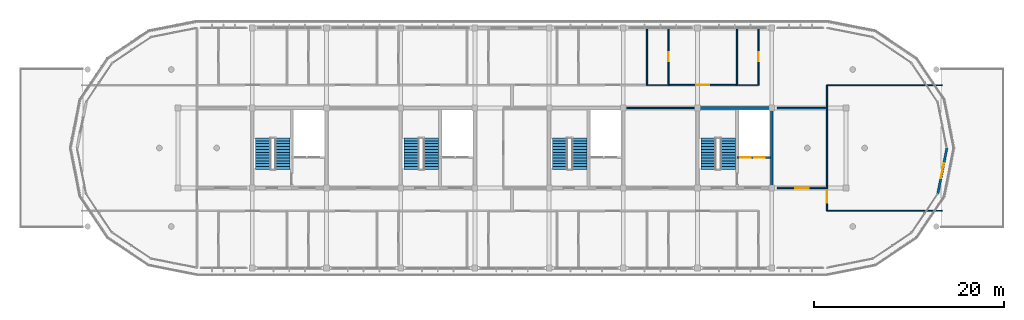
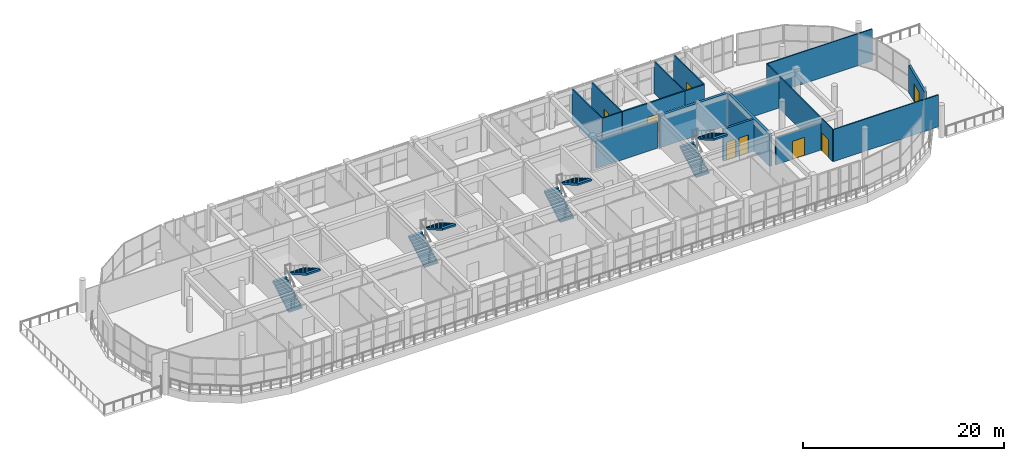
# One storey, part 45 of 50: 17 walls, 8 doors, 8 stair flights, 8 openings, 4 elements without a shape of their own.
"""IFC4 building model written with IfcOpenShell, lengths in metres."""

from ifc_helpers import new_model, si_unit, direction, frame, frame_2d, origin, place, context, subcontext, project, spatial, polyline, rectangle, outline, extrude, material, layer, layer_set, type_object, element, fill, aggregate, save


model = new_model("IFC4")

# Units and contexts
model_context = context("Model", 3, precision=1e-05, world=origin(), true_north=direction((0.0, 1.0)))
body_context = subcontext(model_context, "Body", "Model", "MODEL_VIEW")
ifc_project = project(units=[si_unit("LENGTHUNIT", "METRE"), si_unit("AREAUNIT", "SQUARE_METRE"), si_unit("VOLUMEUNIT", "CUBIC_METRE"), si_unit("PLANEANGLEUNIT", "RADIAN"), si_unit("MASSUNIT", "GRAM", prefix="KILO")], contexts=[model_context])

# Site, building, storey
site_placement = place(None, origin())
site = spatial("IfcSite", under=ifc_project, at=site_placement, CompositionType="ELEMENT")
building_placement = place(site_placement, origin())
building = spatial("IfcBuilding", under=site, at=building_placement, Name="Zizhar Promenade General Hospital", CompositionType="ELEMENT")
storey_placement = place(building_placement, frame((0.0, 0.0, 30.60009765625)))
storey = spatial("IfcBuildingStorey", under=building, at=storey_placement, Name="L07", CompositionType="ELEMENT", Elevation=30.60009765625)

# Wall, opening, door
ifc_material_1 = material(Name="Precast concrete C40/50", Category="concrete")
ifc_layer_1 = layer(ifc_material_1, 0.2451171875)
ifc_layer_set_1 = layer_set([ifc_layer_1], Name="Precast concrete C40/50")
wall_type_1 = type_object("IfcWallType", Name="EW-PC-245", PredefinedType="STANDARD", material=ifc_layer_set_1)
wall_1_placement = place(storey_placement, frame((119.800048828125, 12.60009765625, 0.0), z_axis=(0.0, 0.0, 1.0), x_axis=(-0.195113286981, -0.980780712108, 0.0)))
wall_1 = element("IfcWall", 1, at=wall_1_placement, inside=storey, type_object=wall_type_1, Name="Ward East Terrace Portal Wall L07", PredefinedType="STANDARD", context=body_context, shape_type="SweptSolid", body=[
    extrude(rectangle(XDim=4.916259765625, YDim=0.2451171875, at=frame_2d((2.4580078125, 0.0))), origin(), (0.0, 0.0, 1.0), 3.31982421875),
])
opening_1_placement = place(wall_1_placement, frame((1.658203125, 0.0, 0.0)))
opening_1 = element("IfcOpeningElement", 2, at=opening_1_placement, cuts=wall_1, Name="Opening ED-05", PredefinedType="OPENING", context=body_context, shape_type="SweptSolid", body=[
    extrude(rectangle(XDim=1.60009765625, YDim=2.199951171875, at=frame_2d((0.800048828125, 1.10009765625))), frame((0.0, 0.132568359375, 0.0), z_axis=(0.0, -1.0, 0.0), x_axis=(1.0, 0.0, 0.0)), (0.0, 0.0, 1.0), 0.26513671875),
])
ifc_material_2 = material(Name="Anodised aluminium 6063-T6 and laminated safety glass", Category="aluminium")
door_type_1 = type_object("IfcDoorType", Name="DR-EXT-TERR-160x220", OperationType="DOUBLE_DOOR_SINGLE_SWING", PredefinedType="DOOR", material=ifc_material_2)
door_1_placement = place(opening_1_placement, origin())
door_1 = element("IfcDoor", 3, at=door_1_placement, inside=storey, type_object=door_type_1, Name="Level L07 East Recovery Terrace Door", OperationType="DOUBLE_DOOR_SINGLE_SWING", OverallHeight=2.199951171875, OverallWidth=1.60009765625, PredefinedType="DOOR", context=body_context, shape_type="SweptSolid", body=[
    extrude(rectangle(XDim=1.60009765625, YDim=2.199951171875, at=frame_2d((0.800048828125, 1.10009765625))), frame((0.0, 0.02490234375, 0.0), z_axis=(0.0, -1.0, 0.0), x_axis=(1.0, 0.0, 0.0)), (0.0, 0.0, 1.0), 0.050048828125),
])
fill(opening_1, door_1)

# Wall
ifc_material_3 = material(Name="Clinical consultation partition")
ifc_layer_2 = layer(ifc_material_3, 0.14501953125)
ifc_layer_set_2 = layer_set([ifc_layer_2], Name="Clinical consultation partition")
wall_type_2 = type_object("IfcWallType", Name="IW-CLN-145", PredefinedType="PARTITIONING", material=ifc_layer_set_2)
wall_2_placement = place(storey_placement, frame((86.159912109375, 16.800048828125, 0.0), z_axis=(0.0, 0.0, 1.0), x_axis=(1.0, 0.0, 0.0)))
element("IfcWall", 4, at=wall_2_placement, inside=storey, type_object=wall_type_2, Name="Accessible Visitor Lounge and Clean Utility L07 N Partition", PredefinedType="PARTITIONING", context=body_context, shape_type="SweptSolid", body=[
    extrude(rectangle(XDim=7.080078125, YDim=0.14501953125, at=frame_2d((3.5400390625, 0.0))), origin(), (0.0, 0.0, 1.0), 3.304931640625),
])

# Wall, openings, doors
ifc_material_4 = material(Name="Concrete C35/45", Category="concrete")
ifc_layer_3 = layer(ifc_material_4, 0.25)
ifc_layer_set_3 = layer_set([ifc_layer_3], Name="Concrete C35/45")
wall_type_3 = type_object("IfcWallType", Name="IW-SHAFT-250", PredefinedType="STANDARD", material=ifc_layer_set_3)
wall_3_placement = place(storey_placement, frame((97.75, 11.60009765625, 0.0), z_axis=(0.0, 0.0, 1.0), x_axis=(1.0, 0.0, 0.0)))
wall_3 = element("IfcWall", 5, at=wall_3_placement, inside=storey, type_object=wall_type_3, Name="Core C5 Lift Shaft Landing Wall (L07)", PredefinedType="STANDARD", context=body_context, shape_type="SweptSolid", body=[
    extrude(rectangle(XDim=3.5, YDim=0.25, at=frame_2d((1.75, 0.0))), origin(), (0.0, 0.0, 1.0), 3.89990234375),
])
opening_2_placement = place(wall_3_placement, frame((0.35009765625, 0.0, 0.0)))
opening_2 = element("IfcOpeningElement", 6, at=opening_2_placement, cuts=wall_3, Name="Opening LD-11", PredefinedType="OPENING", context=body_context, shape_type="SweptSolid", body=[
    extrude(rectangle(XDim=1.10009765625, YDim=2.199951171875, at=frame_2d((0.550048828125, 1.10009765625))), frame((0.0, 0.135009765625, 0.0), z_axis=(0.0, -1.0, 0.0), x_axis=(1.0, 0.0, 0.0)), (0.0, 0.0, 1.0), 0.27001953125),
])
opening_3_placement = place(wall_3_placement, frame((1.800048828125, 0.0, 0.0)))
opening_3 = element("IfcOpeningElement", 7, at=opening_3_placement, cuts=wall_3, Name="Opening LD-11", PredefinedType="OPENING", context=body_context, shape_type="SweptSolid", body=[
    extrude(rectangle(XDim=1.10009765625, YDim=2.199951171875, at=frame_2d((0.550048828125, 1.10009765625))), frame((0.0, 0.135009765625, 0.0), z_axis=(0.0, -1.0, 0.0), x_axis=(1.0, 0.0, 0.0)), (0.0, 0.0, 1.0), 0.27001953125),
])
ifc_material_5 = material(Name="Stainless Steel S355 passenger lift landing door", Category="steel")
door_type_2 = type_object("IfcDoorType", Name="DR-LIFT-LD11", OperationType="SLIDING_TO_LEFT", PredefinedType="DOOR", material=ifc_material_5)
door_2_placement = place(opening_2_placement, origin())
door_2 = element("IfcDoor", 8, at=door_2_placement, inside=storey, type_object=door_type_2, Name="Lift LF-02 Sliding Landing Door (L07)", OperationType="SLIDING_TO_LEFT", OverallHeight=2.199951171875, OverallWidth=1.10009765625, PredefinedType="DOOR", context=body_context, shape_type="SweptSolid", body=[
    extrude(rectangle(XDim=1.10009765625, YDim=2.199951171875, at=frame_2d((0.550048828125, 1.10009765625))), frame((0.0, 0.02490234375, 0.0), z_axis=(0.0, -1.0, 0.0), x_axis=(1.0, 0.0, 0.0)), (0.0, 0.0, 1.0), 0.050048828125),
])
fill(opening_2, door_2)
door_3_placement = place(opening_3_placement, origin())
door_3 = element("IfcDoor", 9, at=door_3_placement, inside=storey, type_object=door_type_2, Name="Lift LB-04 Sliding Landing Door (L07)", OperationType="SLIDING_TO_LEFT", OverallHeight=2.199951171875, OverallWidth=1.10009765625, PredefinedType="DOOR", context=body_context, shape_type="SweptSolid", body=[
    extrude(rectangle(XDim=1.10009765625, YDim=2.199951171875, at=frame_2d((0.550048828125, 1.10009765625))), frame((0.0, 0.02490234375, 0.0), z_axis=(0.0, -1.0, 0.0), x_axis=(1.0, 0.0, 0.0)), (0.0, 0.0, 1.0), 0.050048828125),
])
fill(opening_3, door_3)

# Walls
ifc_material_6 = material(Name="Clean utility gypsum partition")
ifc_layer_4 = layer(ifc_material_6, 0.114990234375)
ifc_layer_set_4 = layer_set([ifc_layer_4], Name="Clean utility gypsum partition")
wall_type_4 = type_object("IfcWallType", Name="IW-STR-115", PredefinedType="PARTITIONING", material=ifc_layer_set_4)
for number, where, z_axis, x_axis, name in (
    (10, (107.199951171875, 6.0, 0.0), (0.0, 0.0, 1.0), (1.0, 0.0, 0.0), "East Patient Recovery Solarium L07 S Partition"),
    (11, (107.199951171875, 19.199951171875, 0.0), (0.0, 0.0, 1.0), (1.0, 0.0, 0.0), "East Patient Recovery Solarium L07 N Partition"),
):
    element("IfcWall", number, at=place(storey_placement, frame(where, z_axis=z_axis, x_axis=x_axis)), inside=storey, type_object=wall_type_4, Name=name, PredefinedType="PARTITIONING", context=body_context, shape_type="SweptSolid", body=[
        extrude(rectangle(XDim=12.10009765625, YDim=0.114990234375, at=frame_2d((6.050048828125, 0.0))), origin(), (0.0, 0.0, 1.0), 3.89990234375),
    ])

# Wall, opening, door
wall_4_placement = place(storey_placement, frame((107.199951171875, 6.0, 0.0), z_axis=(0.0, 0.0, 1.0), x_axis=(0.0, 1.0, 0.0)))
wall_4 = element("IfcWall", 12, at=wall_4_placement, inside=storey, type_object=wall_type_4, Name="East Patient Recovery Solarium L07 W Partition", PredefinedType="PARTITIONING", context=body_context, shape_type="SweptSolid", body=[
    extrude(rectangle(XDim=13.199951171875, YDim=0.114990234375, at=frame_2d((6.60009765625, 0.0))), origin(), (0.0, 0.0, 1.0), 3.89990234375),
])
opening_4_placement = place(wall_4_placement, frame((0.85009765625, 0.0, 0.0)))
opening_4 = element("IfcOpeningElement", 13, at=opening_4_placement, cuts=wall_4, Name="Opening D-26", PredefinedType="OPENING", context=body_context, shape_type="SweptSolid", body=[
    extrude(rectangle(XDim=1.320068359375, YDim=2.14990234375, at=frame_2d((0.66015625, 1.074951171875))), frame((0.0, 0.0673828125, 0.0), z_axis=(0.0, -1.0, 0.0), x_axis=(1.0, 0.0, 0.0)), (0.0, 0.0, 1.0), 0.135009765625),
])
ifc_material_7 = material(Name="Fire-rated timber store leaf", Category="wood")
door_type_3 = type_object("IfcDoorType", Name="DR-STORE-132x215", OperationType="NOTDEFINED", PredefinedType="DOOR", material=ifc_material_7)
door_4_placement = place(opening_4_placement, origin())
door_4 = element("IfcDoor", 14, at=door_4_placement, inside=storey, type_object=door_type_3, Name="East Patient Recovery Solarium L07 Door", OperationType="SINGLE_SWING_LEFT", OverallHeight=2.14990234375, OverallWidth=1.320068359375, PredefinedType="DOOR", context=body_context, shape_type="SweptSolid", body=[
    extrude(rectangle(XDim=1.320068359375, YDim=2.14990234375, at=frame_2d((0.66015625, 1.074951171875))), frame((0.0, 0.02490234375, 0.0), z_axis=(0.0, -1.0, 0.0), x_axis=(1.0, 0.0, 0.0)), (0.0, 0.0, 1.0), 0.050048828125),
])
fill(opening_4, door_4)

ifc_material_8 = material(Name="Acoustic patient bedroom partition")
ifc_layer_5 = layer(ifc_material_8, 0.155029296875)
ifc_layer_set_5 = layer_set([ifc_layer_5], Name="Acoustic patient bedroom partition")
wall_type_5 = type_object("IfcWallType", Name="IW-WARD-155", PredefinedType="PARTITIONING", material=ifc_layer_set_5)
wall_5_placement = place(storey_placement, frame((90.5458984375, 19.199951171875, 0.0), z_axis=(0.0, 0.0, 1.0), x_axis=(1.0, 0.0, 0.0)))
wall_5 = element("IfcWall", 15, at=wall_5_placement, inside=storey, type_object=wall_type_5, Name="Neonatal Care Nursery Suite L07-N06 S Partition", PredefinedType="PARTITIONING", context=body_context, shape_type="SweptSolid", body=[
    extrude(rectangle(XDim=7.18701171875, YDim=0.155029296875, at=frame_2d((3.593505859375, 0.0))), origin(), (0.0, 0.0, 1.0), 3.89990234375),
])
opening_5_placement = place(wall_5_placement, frame((2.91845703125, 0.0, 0.0)))
opening_5 = element("IfcOpeningElement", 16, at=opening_5_placement, cuts=wall_5, Name="Opening D-08", PredefinedType="OPENING", context=body_context, shape_type="SweptSolid", body=[
    extrude(rectangle(XDim=1.35009765625, YDim=2.199951171875, at=frame_2d((0.675048828125, 1.10009765625))), frame((0.0, 0.08740234375, 0.0), z_axis=(0.0, -1.0, 0.0), x_axis=(1.0, 0.0, 0.0)), (0.0, 0.0, 1.0), 0.175048828125),
])
ifc_material_9 = material(Name="Fire-rated timber maternity bed leaf", Category="wood")
door_type_4 = type_object("IfcDoorType", Name="DR-BED-MAT-135x220", OperationType="NOTDEFINED", PredefinedType="DOOR", material=ifc_material_9)
door_5_placement = place(opening_5_placement, origin())
door_5 = element("IfcDoor", 17, at=door_5_placement, inside=storey, type_object=door_type_4, Name="Neonatal Care Nursery Suite L07-N06 Door", OperationType="SINGLE_SWING_LEFT", OverallHeight=2.199951171875, OverallWidth=1.35009765625, PredefinedType="DOOR", context=body_context, shape_type="SweptSolid", body=[
    extrude(rectangle(XDim=1.35009765625, YDim=2.199951171875, at=frame_2d((0.675048828125, 1.10009765625))), frame((0.0, 0.02490234375, 0.0), z_axis=(0.0, -1.0, 0.0), x_axis=(1.0, 0.0, 0.0)), (0.0, 0.0, 1.0), 0.050048828125),
])
fill(opening_5, door_5)

wall_6_placement = place(storey_placement, frame((101.9599609375, 8.39990234375, 0.0), z_axis=(0.0, 0.0, 1.0), x_axis=(1.0, 0.0, 0.0)))
wall_6 = element("IfcWall", 18, at=wall_6_placement, inside=storey, type_object=wall_type_5, Name="Ward Doctor Consultation Office L07 S Partition", PredefinedType="PARTITIONING", context=body_context, shape_type="SweptSolid", body=[
    extrude(rectangle(XDim=5.22998046875, YDim=0.155029296875, at=frame_2d((2.614990234375, 0.0))), origin(), (0.0, 0.0, 1.0), 3.304931640625),
])
opening_6_placement = place(wall_6_placement, frame((1.9150390625, 0.0, 0.0)))
opening_6 = element("IfcOpeningElement", 19, at=opening_6_placement, cuts=wall_6, Name="Opening D-06", PredefinedType="OPENING", context=body_context, shape_type="SweptSolid", body=[
    extrude(rectangle(XDim=1.39990234375, YDim=2.199951171875, at=frame_2d((0.699951171875, 1.10009765625))), frame((0.0, 0.08740234375, 0.0), z_axis=(0.0, -1.0, 0.0), x_axis=(1.0, 0.0, 0.0)), (0.0, 0.0, 1.0), 0.175048828125),
])
ifc_material_10 = material(Name="Fire-rated timber hospital bed leaf", Category="wood")
door_type_5 = type_object("IfcDoorType", Name="DR-BED-WARD-140x220", OperationType="NOTDEFINED", PredefinedType="DOOR", material=ifc_material_10)
door_6_placement = place(opening_6_placement, origin())
door_6 = element("IfcDoor", 20, at=door_6_placement, inside=storey, type_object=door_type_5, Name="Ward Doctor Consultation Office L07 Door", OperationType="SINGLE_SWING_LEFT", OverallHeight=2.199951171875, OverallWidth=1.39990234375, PredefinedType="DOOR", context=body_context, shape_type="SweptSolid", body=[
    extrude(rectangle(XDim=1.39990234375, YDim=2.199951171875, at=frame_2d((0.699951171875, 1.10009765625))), frame((0.0, 0.02490234375, 0.0), z_axis=(0.0, -1.0, 0.0), x_axis=(1.0, 0.0, 0.0)), (0.0, 0.0, 1.0), 0.050048828125),
])
fill(opening_6, door_6)

# Walls
wall_7_placement = place(storey_placement, frame((101.9599609375, 16.800048828125, 0.0), z_axis=(0.0, 0.0, 1.0), x_axis=(1.0, 0.0, 0.0)))
element("IfcWall", 21, at=wall_7_placement, inside=storey, type_object=wall_type_5, Name="Ward Doctor Consultation Office L07 N Partition", PredefinedType="PARTITIONING", context=body_context, shape_type="SweptSolid", body=[
    extrude(rectangle(XDim=5.22998046875, YDim=0.155029296875, at=frame_2d((2.614990234375, 0.0))), origin(), (0.0, 0.0, 1.0), 3.304931640625),
])
ifc_material_11 = material(Name="Moisture-resistant en-suite wet partition")
ifc_layer_6 = layer(ifc_material_11, 0.125)
ifc_layer_set_6 = layer_set([ifc_layer_6], Name="Moisture-resistant en-suite wet partition")
wall_type_6 = type_object("IfcWallType", Name="IW-WET-125", PredefinedType="PARTITIONING", material=ifc_layer_set_6)
wall_8_placement = place(storey_placement, frame((88.28564453125, 19.199951171875, 0.0), z_axis=(0.0, 0.0, 1.0), x_axis=(1.0, 0.0, 0.0)))
element("IfcWall", 22, at=wall_8_placement, inside=storey, type_object=wall_type_6, Name="En-Suite Patient Bathroom L07-N06 S Partition", PredefinedType="PARTITIONING", context=body_context, shape_type="SweptSolid", body=[
    extrude(rectangle(XDim=2.25, YDim=0.125, at=frame_2d((1.125, 0.0))), origin(), (0.0, 0.0, 1.0), 3.89990234375),
])
wall_9_placement = place(storey_placement, frame((88.28564453125, 19.199951171875, 0.0), z_axis=(0.0, 0.0, 1.0), x_axis=(0.0, 1.0, 0.0)))
element("IfcWall", 23, at=wall_9_placement, inside=storey, type_object=wall_type_6, Name="En-Suite Patient Bathroom L07-N06 W Partition", PredefinedType="PARTITIONING", context=body_context, shape_type="SweptSolid", body=[
    extrude(rectangle(XDim=5.955078125, YDim=0.125, at=frame_2d((2.9775390625, 0.0))), origin(), (0.0, 0.0, 1.0), 3.89990234375),
])

# Wall, opening, door
wall_10_placement = place(storey_placement, frame((90.53564453125, 19.199951171875, 0.0), z_axis=(0.0, 0.0, 1.0), x_axis=(0.0, 1.0, 0.0)))
wall_10 = element("IfcWall", 24, at=wall_10_placement, inside=storey, type_object=wall_type_6, Name="En-Suite Patient Bathroom L07-N06 E Partition", PredefinedType="PARTITIONING", context=body_context, shape_type="SweptSolid", body=[
    extrude(rectangle(XDim=5.955078125, YDim=0.125, at=frame_2d((2.9775390625, 0.0))), origin(), (0.0, 0.0, 1.0), 3.89990234375),
])
opening_7_placement = place(wall_10_placement, frame((2.517578125, 0.0, 0.0)))
opening_7 = element("IfcOpeningElement", 25, at=opening_7_placement, cuts=wall_10, Name="Opening D-18", PredefinedType="OPENING", context=body_context, shape_type="SweptSolid", body=[
    extrude(rectangle(XDim=0.919921875, YDim=2.10009765625, at=frame_2d((0.4599609375, 1.050048828125))), frame((0.0, 0.072509765625, 0.0), z_axis=(0.0, -1.0, 0.0), x_axis=(1.0, 0.0, 0.0)), (0.0, 0.0, 1.0), 0.14501953125),
])
ifc_material_12 = material(Name="Moisture-resistant timber en-suite leaf", Category="wood")
door_type_6 = type_object("IfcDoorType", Name="DR-ENS-STD-092x210", OperationType="NOTDEFINED", PredefinedType="DOOR", material=ifc_material_12)
door_7_placement = place(opening_7_placement, origin())
door_7 = element("IfcDoor", 26, at=door_7_placement, inside=storey, type_object=door_type_6, Name="En-Suite Patient Bathroom L07-N06 Door", OperationType="SINGLE_SWING_LEFT", OverallHeight=2.10009765625, OverallWidth=0.919921875, PredefinedType="DOOR", context=body_context, shape_type="SweptSolid", body=[
    extrude(rectangle(XDim=0.919921875, YDim=2.10009765625, at=frame_2d((0.4599609375, 1.050048828125))), frame((0.0, 0.02490234375, 0.0), z_axis=(0.0, -1.0, 0.0), x_axis=(1.0, 0.0, 0.0)), (0.0, 0.0, 1.0), 0.050048828125),
])
fill(opening_7, door_7)

# Walls
wall_11_placement = place(storey_placement, frame((97.742919921875, 19.199951171875, 0.0), z_axis=(0.0, 0.0, 1.0), x_axis=(1.0, 0.0, 0.0)))
element("IfcWall", 27, at=wall_11_placement, inside=storey, type_object=wall_type_6, Name="En-Suite Patient Bathroom L07-N07 S Partition", PredefinedType="PARTITIONING", context=body_context, shape_type="SweptSolid", body=[
    extrude(rectangle(XDim=2.25, YDim=0.125, at=frame_2d((1.125, 0.0))), origin(), (0.0, 0.0, 1.0), 3.89990234375),
])
wall_12_placement = place(storey_placement, frame((97.742919921875, 19.199951171875, 0.0), z_axis=(0.0, 0.0, 1.0), x_axis=(0.0, 1.0, 0.0)))
element("IfcWall", 28, at=wall_12_placement, inside=storey, type_object=wall_type_6, Name="En-Suite Patient Bathroom L07-N07 W Partition", PredefinedType="PARTITIONING", context=body_context, shape_type="SweptSolid", body=[
    extrude(rectangle(XDim=5.955078125, YDim=0.125, at=frame_2d((2.9775390625, 0.0))), origin(), (0.0, 0.0, 1.0), 3.89990234375),
])

# Wall, opening, door
wall_13_placement = place(storey_placement, frame((99.992919921875, 19.199951171875, 0.0), z_axis=(0.0, 0.0, 1.0), x_axis=(0.0, 1.0, 0.0)))
wall_13 = element("IfcWall", 29, at=wall_13_placement, inside=storey, type_object=wall_type_6, Name="En-Suite Patient Bathroom L07-N07 E Partition", PredefinedType="PARTITIONING", context=body_context, shape_type="SweptSolid", body=[
    extrude(rectangle(XDim=5.955078125, YDim=0.125, at=frame_2d((2.9775390625, 0.0))), origin(), (0.0, 0.0, 1.0), 3.89990234375),
])
opening_8_placement = place(wall_13_placement, frame((2.517578125, 0.0, 0.0)))
opening_8 = element("IfcOpeningElement", 30, at=opening_8_placement, cuts=wall_13, Name="Opening D-18", PredefinedType="OPENING", context=body_context, shape_type="SweptSolid", body=[
    extrude(rectangle(XDim=0.919921875, YDim=2.10009765625, at=frame_2d((0.4599609375, 1.050048828125))), frame((0.0, 0.072509765625, 0.0), z_axis=(0.0, -1.0, 0.0), x_axis=(1.0, 0.0, 0.0)), (0.0, 0.0, 1.0), 0.14501953125),
])
door_8_placement = place(opening_8_placement, origin())
door_8 = element("IfcDoor", 31, at=door_8_placement, inside=storey, type_object=door_type_6, Name="En-Suite Patient Bathroom L07-N07 Door", OperationType="SINGLE_SWING_LEFT", OverallHeight=2.10009765625, OverallWidth=0.919921875, PredefinedType="DOOR", context=body_context, shape_type="SweptSolid", body=[
    extrude(rectangle(XDim=0.919921875, YDim=2.10009765625, at=frame_2d((0.4599609375, 1.050048828125))), frame((0.0, 0.02490234375, 0.0), z_axis=(0.0, -1.0, 0.0), x_axis=(1.0, 0.0, 0.0)), (0.0, 0.0, 1.0), 0.050048828125),
])
fill(opening_8, door_8)

# Walls
ifc_material_13 = material(Name="Concrete C40/50", Category="concrete")
ifc_layer_7 = layer(ifc_material_13, 0.300048828125)
ifc_layer_set_7 = layer_set([ifc_layer_7], Name="Concrete C40/50")
wall_type_7 = type_object("IfcWallType", Name="WL-CORE-300", PredefinedType="SHEAR", material=ifc_layer_set_7)
wall_14_placement = place(storey_placement, frame((93.449951171875, 16.800048828125, 0.0), z_axis=(0.0, 0.0, 1.0), x_axis=(1.0, 0.0, 0.0)))
element("IfcWall", 32, at=wall_14_placement, inside=storey, type_object=wall_type_7, Name="Core C5 North Shear Wall L07", PredefinedType="SHEAR", context=body_context, shape_type="SweptSolid", body=[
    extrude(rectangle(XDim=8.10009765625, YDim=0.300048828125, at=frame_2d((4.050048828125, 0.0))), origin(), (0.0, 0.0, 1.0), 3.919921875),
])
wall_15_placement = place(storey_placement, frame((101.39990234375, 8.39990234375, 0.0), z_axis=(0.0, 0.0, 1.0), x_axis=(0.0, 1.0, 0.0)))
element("IfcWall", 33, at=wall_15_placement, inside=storey, type_object=wall_type_7, Name="Core C5 East Shear Wall L07", PredefinedType="SHEAR", context=body_context, shape_type="SweptSolid", body=[
    extrude(rectangle(XDim=8.400146484375, YDim=0.300048828125, at=frame_2d((4.2001953125, 0.0))), origin(), (0.0, 0.0, 1.0), 3.919921875),
])

# Stair, stair flights
ifc_material_14 = material(Name="Concrete C35/45", Category="concrete")
stair_type = type_object("IfcStairType", Name="STR-DOG-420", PredefinedType="HALF_TURN_STAIR", material=ifc_material_14)
stair_1_placement = place(storey_placement, origin())
stair_1 = element("IfcStair", 34, at=stair_1_placement, inside=storey, type_object=stair_type, Name="Exit Stair ST-02 (L07 to L08)", PredefinedType="HALF_TURN_STAIR")
ifc_material_15 = material(Name="Concrete C35/45", Category="concrete")
stair_flight_type = type_object("IfcStairFlightType", Name="SFL-DOG-420", PredefinedType="STRAIGHT", material=ifc_material_15)
stair_flight_1_placement = place(storey_placement, frame((47.949951171875, 10.35009765625, 0.0), z_axis=(0.0, 0.0, 1.0), x_axis=(0.0, 1.0, 0.0)))
stair_flight_1 = element("IfcStairFlight", 35, at=stair_flight_1_placement, type_object=stair_flight_type, Name="ST-02C flight 1", NumberOfRisers=12, NumberOfTreads=11, PredefinedType="STRAIGHT", RiserHeight=0.175, TreadLength=0.3, context=body_context, shape_type="SweptSolid", body=[
    extrude(outline(polyline([(0.0, 0.0), (0.0, 0.175048828125), (0.300048828125, 0.175048828125), (0.300048828125, 0.35009765625), (0.60009765625, 0.35009765625), (0.60009765625, 0.52490234375), (0.89990234375, 0.52490234375), (0.89990234375, 0.699951171875), (1.199951171875, 0.699951171875), (1.199951171875, 0.875), (1.5, 0.875), (1.5, 1.050048828125), (1.800048828125, 1.050048828125), (1.800048828125, 1.22509765625), (2.10009765625, 1.22509765625), (2.10009765625, 1.39990234375), (2.39990234375, 1.39990234375), (2.39990234375, 1.574951171875), (2.699951171875, 1.574951171875), (2.699951171875, 1.75), (3.0, 1.75), (3.0, 1.925048828125), (3.300048828125, 1.925048828125), (3.300048828125, 2.10009765625), (3.300048828125, 1.716796875), (0.357177734375, 0.0), (0.0, 0.0)])), frame((0.0, 0.780029296875, 0.0), z_axis=(0.0, -1.0, 0.0), x_axis=(1.0, 0.0, 0.0)), (0.0, 0.0, 1.0), 1.56005859375),
])
stair_flight_2_placement = place(storey_placement, frame((49.989990234375, 13.64990234375, 2.099853515625), z_axis=(0.0, 0.0, 1.0), x_axis=(0.0, -1.0, 0.0)))
stair_flight_2 = element("IfcStairFlight", 36, at=stair_flight_2_placement, type_object=stair_flight_type, Name="ST-02C flight 2", NumberOfRisers=12, NumberOfTreads=11, PredefinedType="STRAIGHT", RiserHeight=0.175, TreadLength=0.3, context=body_context, shape_type="SweptSolid", body=[
    extrude(outline(polyline([(0.0, 0.0), (0.0, 0.175048828125), (0.300048828125, 0.175048828125), (0.300048828125, 0.35009765625), (0.60009765625, 0.35009765625), (0.60009765625, 0.52490234375), (0.89990234375, 0.52490234375), (0.89990234375, 0.699951171875), (1.199951171875, 0.699951171875), (1.199951171875, 0.875), (1.5, 0.875), (1.5, 1.050048828125), (1.800048828125, 1.050048828125), (1.800048828125, 1.22509765625), (2.10009765625, 1.22509765625), (2.10009765625, 1.39990234375), (2.39990234375, 1.39990234375), (2.39990234375, 1.574951171875), (2.699951171875, 1.574951171875), (2.699951171875, 1.75), (3.0, 1.75), (3.0, 1.925048828125), (3.300048828125, 1.925048828125), (3.300048828125, 2.10009765625), (3.300048828125, 1.716796875), (0.357177734375, 0.0), (0.0, 0.0)])), frame((0.0, 0.780029296875, 0.0), z_axis=(0.0, -1.0, 0.0), x_axis=(1.0, 0.0, 0.0)), (0.0, 0.0, 1.0), 1.56005859375),
])
aggregate(stair_1, [stair_flight_1, stair_flight_2])

stair_2_placement = place(storey_placement, origin())
stair_2 = element("IfcStair", 37, at=stair_2_placement, inside=storey, type_object=stair_type, Name="Exit Stair ST-03 (L07 to L08)", PredefinedType="HALF_TURN_STAIR")
stair_flight_3_placement = place(storey_placement, frame((63.550048828125, 10.35009765625, 0.0), z_axis=(0.0, 0.0, 1.0), x_axis=(0.0, 1.0, 0.0)))
stair_flight_3 = element("IfcStairFlight", 38, at=stair_flight_3_placement, type_object=stair_flight_type, Name="ST-03C flight 1", NumberOfRisers=12, NumberOfTreads=11, PredefinedType="STRAIGHT", RiserHeight=0.175, TreadLength=0.3, context=body_context, shape_type="SweptSolid", body=[
    extrude(outline(polyline([(0.0, 0.0), (0.0, 0.175048828125), (0.300048828125, 0.175048828125), (0.300048828125, 0.35009765625), (0.60009765625, 0.35009765625), (0.60009765625, 0.52490234375), (0.89990234375, 0.52490234375), (0.89990234375, 0.699951171875), (1.199951171875, 0.699951171875), (1.199951171875, 0.875), (1.5, 0.875), (1.5, 1.050048828125), (1.800048828125, 1.050048828125), (1.800048828125, 1.22509765625), (2.10009765625, 1.22509765625), (2.10009765625, 1.39990234375), (2.39990234375, 1.39990234375), (2.39990234375, 1.574951171875), (2.699951171875, 1.574951171875), (2.699951171875, 1.75), (3.0, 1.75), (3.0, 1.925048828125), (3.300048828125, 1.925048828125), (3.300048828125, 2.10009765625), (3.300048828125, 1.716796875), (0.357177734375, 0.0), (0.0, 0.0)])), frame((0.0, 0.780029296875, 0.0), z_axis=(0.0, -1.0, 0.0), x_axis=(1.0, 0.0, 0.0)), (0.0, 0.0, 1.0), 1.56005859375),
])
stair_flight_4_placement = place(storey_placement, frame((65.590087890625, 13.64990234375, 2.099853515625), z_axis=(0.0, 0.0, 1.0), x_axis=(0.0, -1.0, 0.0)))
stair_flight_4 = element("IfcStairFlight", 39, at=stair_flight_4_placement, type_object=stair_flight_type, Name="ST-03C flight 2", NumberOfRisers=12, NumberOfTreads=11, PredefinedType="STRAIGHT", RiserHeight=0.175, TreadLength=0.3, context=body_context, shape_type="SweptSolid", body=[
    extrude(outline(polyline([(0.0, 0.0), (0.0, 0.175048828125), (0.300048828125, 0.175048828125), (0.300048828125, 0.35009765625), (0.60009765625, 0.35009765625), (0.60009765625, 0.52490234375), (0.89990234375, 0.52490234375), (0.89990234375, 0.699951171875), (1.199951171875, 0.699951171875), (1.199951171875, 0.875), (1.5, 0.875), (1.5, 1.050048828125), (1.800048828125, 1.050048828125), (1.800048828125, 1.22509765625), (2.10009765625, 1.22509765625), (2.10009765625, 1.39990234375), (2.39990234375, 1.39990234375), (2.39990234375, 1.574951171875), (2.699951171875, 1.574951171875), (2.699951171875, 1.75), (3.0, 1.75), (3.0, 1.925048828125), (3.300048828125, 1.925048828125), (3.300048828125, 2.10009765625), (3.300048828125, 1.716796875), (0.357177734375, 0.0), (0.0, 0.0)])), frame((0.0, 0.780029296875, 0.0), z_axis=(0.0, -1.0, 0.0), x_axis=(1.0, 0.0, 0.0)), (0.0, 0.0, 1.0), 1.56005859375),
])
aggregate(stair_2, [stair_flight_3, stair_flight_4])

stair_3_placement = place(storey_placement, origin())
stair_3 = element("IfcStair", 40, at=stair_3_placement, inside=storey, type_object=stair_type, Name="Exit Stair ST-04 (L07 to L08)", PredefinedType="HALF_TURN_STAIR")
stair_flight_5_placement = place(storey_placement, frame((79.14990234375, 10.35009765625, 0.0), z_axis=(0.0, 0.0, 1.0), x_axis=(0.0, 1.0, 0.0)))
stair_flight_5 = element("IfcStairFlight", 41, at=stair_flight_5_placement, type_object=stair_flight_type, Name="ST-04C flight 1", NumberOfRisers=12, NumberOfTreads=11, PredefinedType="STRAIGHT", RiserHeight=0.175, TreadLength=0.3, context=body_context, shape_type="SweptSolid", body=[
    extrude(outline(polyline([(0.0, 0.0), (0.0, 0.175048828125), (0.300048828125, 0.175048828125), (0.300048828125, 0.35009765625), (0.60009765625, 0.35009765625), (0.60009765625, 0.52490234375), (0.89990234375, 0.52490234375), (0.89990234375, 0.699951171875), (1.199951171875, 0.699951171875), (1.199951171875, 0.875), (1.5, 0.875), (1.5, 1.050048828125), (1.800048828125, 1.050048828125), (1.800048828125, 1.22509765625), (2.10009765625, 1.22509765625), (2.10009765625, 1.39990234375), (2.39990234375, 1.39990234375), (2.39990234375, 1.574951171875), (2.699951171875, 1.574951171875), (2.699951171875, 1.75), (3.0, 1.75), (3.0, 1.925048828125), (3.300048828125, 1.925048828125), (3.300048828125, 2.10009765625), (3.300048828125, 1.716796875), (0.357177734375, 0.0), (0.0, 0.0)])), frame((0.0, 0.780029296875, 0.0), z_axis=(0.0, -1.0, 0.0), x_axis=(1.0, 0.0, 0.0)), (0.0, 0.0, 1.0), 1.56005859375),
])
stair_flight_6_placement = place(storey_placement, frame((81.18994140625, 13.64990234375, 2.099853515625), z_axis=(0.0, 0.0, 1.0), x_axis=(0.0, -1.0, 0.0)))
stair_flight_6 = element("IfcStairFlight", 42, at=stair_flight_6_placement, type_object=stair_flight_type, Name="ST-04C flight 2", NumberOfRisers=12, NumberOfTreads=11, PredefinedType="STRAIGHT", RiserHeight=0.175, TreadLength=0.3, context=body_context, shape_type="SweptSolid", body=[
    extrude(outline(polyline([(0.0, 0.0), (0.0, 0.175048828125), (0.300048828125, 0.175048828125), (0.300048828125, 0.35009765625), (0.60009765625, 0.35009765625), (0.60009765625, 0.52490234375), (0.89990234375, 0.52490234375), (0.89990234375, 0.699951171875), (1.199951171875, 0.699951171875), (1.199951171875, 0.875), (1.5, 0.875), (1.5, 1.050048828125), (1.800048828125, 1.050048828125), (1.800048828125, 1.22509765625), (2.10009765625, 1.22509765625), (2.10009765625, 1.39990234375), (2.39990234375, 1.39990234375), (2.39990234375, 1.574951171875), (2.699951171875, 1.574951171875), (2.699951171875, 1.75), (3.0, 1.75), (3.0, 1.925048828125), (3.300048828125, 1.925048828125), (3.300048828125, 2.10009765625), (3.300048828125, 1.716796875), (0.357177734375, 0.0), (0.0, 0.0)])), frame((0.0, 0.780029296875, 0.0), z_axis=(0.0, -1.0, 0.0), x_axis=(1.0, 0.0, 0.0)), (0.0, 0.0, 1.0), 1.56005859375),
])
aggregate(stair_3, [stair_flight_5, stair_flight_6])

stair_4_placement = place(storey_placement, origin())
stair_4 = element("IfcStair", 43, at=stair_4_placement, inside=storey, type_object=stair_type, Name="Exit Stair ST-05 (L07 to L08)", PredefinedType="HALF_TURN_STAIR")
stair_flight_7_placement = place(storey_placement, frame((94.75, 10.35009765625, 0.0), z_axis=(0.0, 0.0, 1.0), x_axis=(0.0, 1.0, 0.0)))
stair_flight_7 = element("IfcStairFlight", 44, at=stair_flight_7_placement, type_object=stair_flight_type, Name="ST-05C flight 1", NumberOfRisers=12, NumberOfTreads=11, PredefinedType="STRAIGHT", RiserHeight=0.175, TreadLength=0.3, context=body_context, shape_type="SweptSolid", body=[
    extrude(outline(polyline([(0.0, 0.0), (0.0, 0.175048828125), (0.300048828125, 0.175048828125), (0.300048828125, 0.35009765625), (0.60009765625, 0.35009765625), (0.60009765625, 0.52490234375), (0.89990234375, 0.52490234375), (0.89990234375, 0.699951171875), (1.199951171875, 0.699951171875), (1.199951171875, 0.875), (1.5, 0.875), (1.5, 1.050048828125), (1.800048828125, 1.050048828125), (1.800048828125, 1.22509765625), (2.10009765625, 1.22509765625), (2.10009765625, 1.39990234375), (2.39990234375, 1.39990234375), (2.39990234375, 1.574951171875), (2.699951171875, 1.574951171875), (2.699951171875, 1.75), (3.0, 1.75), (3.0, 1.925048828125), (3.300048828125, 1.925048828125), (3.300048828125, 2.10009765625), (3.300048828125, 1.716796875), (0.357177734375, 0.0), (0.0, 0.0)])), frame((0.0, 0.780029296875, 0.0), z_axis=(0.0, -1.0, 0.0), x_axis=(1.0, 0.0, 0.0)), (0.0, 0.0, 1.0), 1.56005859375),
])
stair_flight_8_placement = place(storey_placement, frame((96.7900390625, 13.64990234375, 2.099853515625), z_axis=(0.0, 0.0, 1.0), x_axis=(0.0, -1.0, 0.0)))
stair_flight_8 = element("IfcStairFlight", 45, at=stair_flight_8_placement, type_object=stair_flight_type, Name="ST-05C flight 2", NumberOfRisers=12, NumberOfTreads=11, PredefinedType="STRAIGHT", RiserHeight=0.175, TreadLength=0.3, context=body_context, shape_type="SweptSolid", body=[
    extrude(outline(polyline([(0.0, 0.0), (0.0, 0.175048828125), (0.300048828125, 0.175048828125), (0.300048828125, 0.35009765625), (0.60009765625, 0.35009765625), (0.60009765625, 0.52490234375), (0.89990234375, 0.52490234375), (0.89990234375, 0.699951171875), (1.199951171875, 0.699951171875), (1.199951171875, 0.875), (1.5, 0.875), (1.5, 1.050048828125), (1.800048828125, 1.050048828125), (1.800048828125, 1.22509765625), (2.10009765625, 1.22509765625), (2.10009765625, 1.39990234375), (2.39990234375, 1.39990234375), (2.39990234375, 1.574951171875), (2.699951171875, 1.574951171875), (2.699951171875, 1.75), (3.0, 1.75), (3.0, 1.925048828125), (3.300048828125, 1.925048828125), (3.300048828125, 2.10009765625), (3.300048828125, 1.716796875), (0.357177734375, 0.0), (0.0, 0.0)])), frame((0.0, 0.780029296875, 0.0), z_axis=(0.0, -1.0, 0.0), x_axis=(1.0, 0.0, 0.0)), (0.0, 0.0, 1.0), 1.56005859375),
])
aggregate(stair_4, [stair_flight_7, stair_flight_8])

save(model, "model.ifc")
